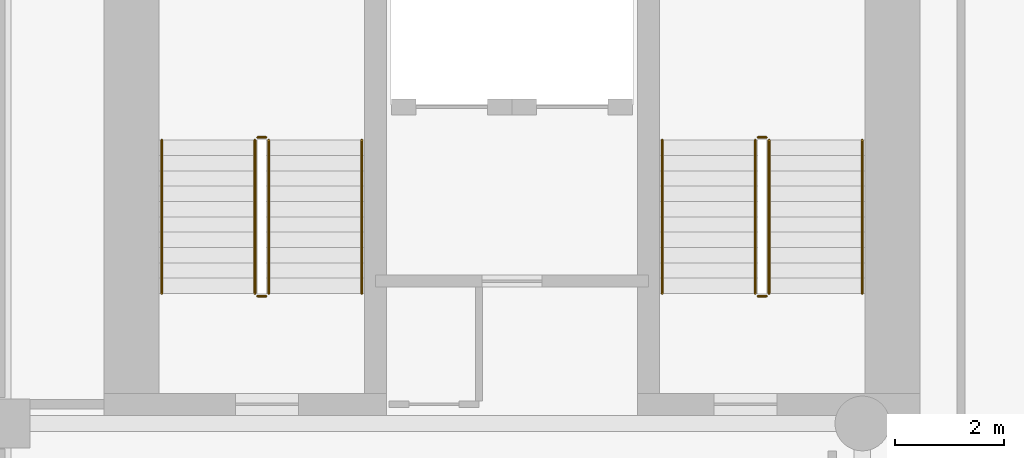
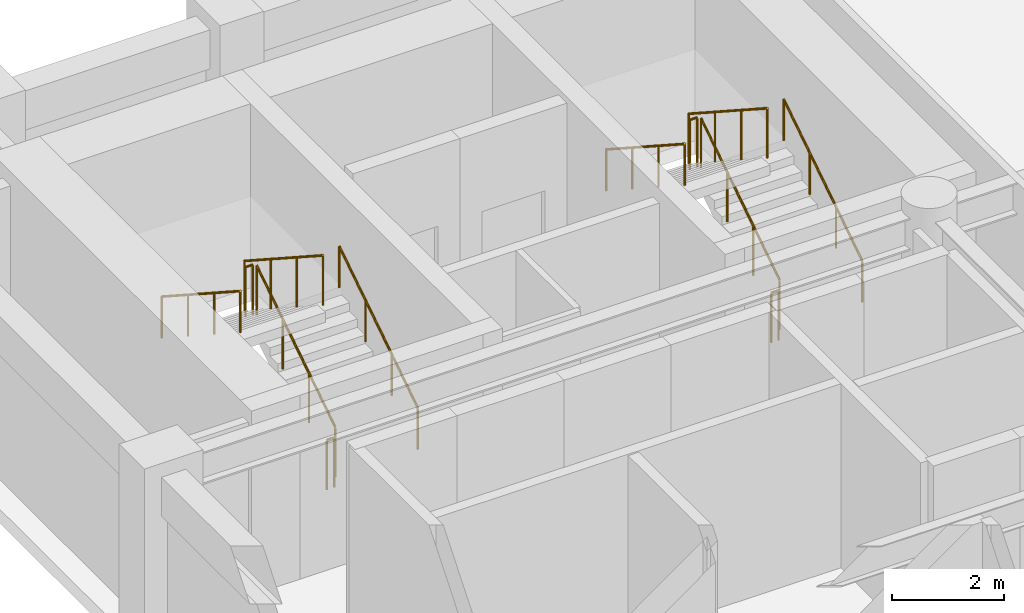
# One storey, part 9 of 10: 12 railings.
"""IFC4 building model written with IfcOpenShell, lengths in metres."""

from ifc_helpers import new_model, si_unit, direction, frame, origin, origin_2d, place, context, subcontext, project, spatial, circle, extrude, material, type_object, element, save


model = new_model("IFC4")

# Units and contexts
model_context = context("Model", 3, precision=1e-05, world=origin(), true_north=direction((0.0, 1.0)))
body_context = subcontext(model_context, "Body", "Model", "MODEL_VIEW")
ifc_project = project(units=[si_unit("LENGTHUNIT", "METRE"), si_unit("AREAUNIT", "SQUARE_METRE"), si_unit("VOLUMEUNIT", "CUBIC_METRE"), si_unit("PLANEANGLEUNIT", "RADIAN"), si_unit("MASSUNIT", "GRAM", prefix="KILO")], contexts=[model_context])

# Site, building, storey
site_placement = place(None, origin())
site = spatial("IfcSite", under=ifc_project, at=site_placement, CompositionType="ELEMENT")
building_placement = place(site_placement, origin())
building = spatial("IfcBuilding", under=site, at=building_placement, Name="Sulina Concourse Tower", CompositionType="ELEMENT")
storey_placement = place(building_placement, frame((0.0, 0.0, 50.60009765625)))
storey = spatial("IfcBuildingStorey", under=building, at=storey_placement, Name="L12", CompositionType="ELEMENT", Elevation=50.60009765625)

# Railings
ifc_material_1 = material(Name="Galvanised steel railing", Category="steel")
railing_type_1 = type_object("IfcRailingType", Name="Core Stair Steel Guardrail 1150mm", PredefinedType="GUARDRAIL", material=ifc_material_1)
railing_1_placement = place(storey_placement, frame((5.554931640625, 36.375, 0.181640625)))
element("IfcRailing", 1, at=railing_1_placement, inside=storey, type_object=railing_type_1, Name="L12 ST-1 stair guard 1", PredefinedType="GUARDRAIL", context=body_context, shape_type="SweptSolid", body=[
    extrude(circle(Radius=0.02392578125, at=origin_2d()), frame((0.0, 0.0, 1.076171875), z_axis=(0.0, 0.838672427954, 0.544636170843), x_axis=(-1.0, 0.0, 0.0)), (0.0, 0.0, 1.0), 3.338623046875),
    extrude(circle(Radius=0.02099609375, at=origin_2d()), origin(), (0.0, 0.0, 1.0), 1.052001953125),
    extrude(circle(Radius=0.02099609375, at=origin_2d()), frame((0.0, 0.933349609375, 0.606201171875)), (0.0, 0.0, 1.0), 1.052001953125),
    extrude(circle(Radius=0.02099609375, at=origin_2d()), frame((0.0, 1.86669921875, 1.212158203125)), (0.0, 0.0, 1.0), 1.052001953125),
    extrude(circle(Radius=0.02099609375, at=origin_2d()), frame((0.0, 2.800048828125, 1.818359375)), (0.0, 0.0, 1.0), 1.052001953125),
])
railing_2_placement = place(storey_placement, frame((5.5048828125, 39.22509765625, 2.0)))
element("IfcRailing", 2, at=railing_2_placement, inside=storey, type_object=railing_type_1, Name="L12 ST-1 stair guard 2", PredefinedType="GUARDRAIL", context=body_context, shape_type="SweptSolid", body=[
    extrude(circle(Radius=0.02392578125, at=origin_2d()), frame((0.0, 0.0, 1.076171875), z_axis=(-1.0, 0.0, 0.0), x_axis=(0.0, -1.0, 0.0)), (0.0, 0.0, 1.0), 0.14990234375),
    extrude(circle(Radius=0.02099609375, at=origin_2d()), origin(), (0.0, 0.0, 1.0), 1.052001953125),
    extrude(circle(Radius=0.02099609375, at=origin_2d()), frame((-0.14990234375, 0.0, 0.0)), (0.0, 0.0, 1.0), 1.052001953125),
])
railing_3_placement = place(storey_placement, frame((5.304931640625, 39.175048828125, 2.181640625)))
element("IfcRailing", 3, at=railing_3_placement, inside=storey, type_object=railing_type_1, Name="L12 ST-1 stair guard 3", PredefinedType="GUARDRAIL", context=body_context, shape_type="SweptSolid", body=[
    extrude(circle(Radius=0.02392578125, at=origin_2d()), frame((0.0, 0.0, 1.076171875), z_axis=(0.0, -0.838672427954, 0.544636170843), x_axis=(1.0, 0.0, 0.0)), (0.0, 0.0, 1.0), 3.338623046875),
    extrude(circle(Radius=0.02099609375, at=origin_2d()), origin(), (0.0, 0.0, 1.0), 1.052001953125),
    extrude(circle(Radius=0.02099609375, at=origin_2d()), frame((0.0, -0.933349609375, 0.606201171875)), (0.0, 0.0, 1.0), 1.052001953125),
    extrude(circle(Radius=0.02099609375, at=origin_2d()), frame((0.0, -1.86669921875, 1.212158203125)), (0.0, 0.0, 1.0), 1.052001953125),
    extrude(circle(Radius=0.02099609375, at=origin_2d()), frame((0.0, -2.800048828125, 1.818359375)), (0.0, 0.0, 1.0), 1.052001953125),
])
railing_4_placement = place(storey_placement, frame((5.5048828125, 36.324951171875, 0.0)))
element("IfcRailing", 4, at=railing_4_placement, inside=storey, type_object=railing_type_1, Name="L12 ST-1 stair guard 4", PredefinedType="GUARDRAIL", context=body_context, shape_type="SweptSolid", body=[
    extrude(circle(Radius=0.02392578125, at=origin_2d()), frame((0.0, 0.0, 1.076171875), z_axis=(-1.0, 0.0, 0.0), x_axis=(0.0, -1.0, 0.0)), (0.0, 0.0, 1.0), 0.14990234375),
    extrude(circle(Radius=0.02099609375, at=origin_2d()), origin(), (0.0, 0.0, 1.0), 1.052001953125),
    extrude(circle(Radius=0.02099609375, at=origin_2d()), frame((-0.14990234375, 0.0, 0.0)), (0.0, 0.0, 1.0), 1.052001953125),
])
railing_5_placement = place(storey_placement, frame((14.695068359375, 36.375, 0.181640625)))
element("IfcRailing", 5, at=railing_5_placement, inside=storey, type_object=railing_type_1, Name="L12 ST-2 stair guard 1", PredefinedType="GUARDRAIL", context=body_context, shape_type="SweptSolid", body=[
    extrude(circle(Radius=0.02392578125, at=origin_2d()), frame((0.0, 0.0, 1.076171875), z_axis=(0.0, 0.838672427954, 0.544636170843), x_axis=(-1.0, 0.0, 0.0)), (0.0, 0.0, 1.0), 3.338623046875),
    extrude(circle(Radius=0.02099609375, at=origin_2d()), origin(), (0.0, 0.0, 1.0), 1.052001953125),
    extrude(circle(Radius=0.02099609375, at=origin_2d()), frame((0.0, 0.933349609375, 0.606201171875)), (0.0, 0.0, 1.0), 1.052001953125),
    extrude(circle(Radius=0.02099609375, at=origin_2d()), frame((0.0, 1.86669921875, 1.212158203125)), (0.0, 0.0, 1.0), 1.052001953125),
    extrude(circle(Radius=0.02099609375, at=origin_2d()), frame((0.0, 2.800048828125, 1.818359375)), (0.0, 0.0, 1.0), 1.052001953125),
])
railing_6_placement = place(storey_placement, frame((14.64501953125, 39.22509765625, 2.0)))
element("IfcRailing", 6, at=railing_6_placement, inside=storey, type_object=railing_type_1, Name="L12 ST-2 stair guard 2", PredefinedType="GUARDRAIL", context=body_context, shape_type="SweptSolid", body=[
    extrude(circle(Radius=0.02392578125, at=origin_2d()), frame((0.0, 0.0, 1.076171875), z_axis=(-1.0, 0.0, 0.0), x_axis=(0.0, -1.0, 0.0)), (0.0, 0.0, 1.0), 0.14990234375),
    extrude(circle(Radius=0.02099609375, at=origin_2d()), origin(), (0.0, 0.0, 1.0), 1.052001953125),
    extrude(circle(Radius=0.02099609375, at=origin_2d()), frame((-0.14990234375, 0.0, 0.0)), (0.0, 0.0, 1.0), 1.052001953125),
])
railing_7_placement = place(storey_placement, frame((14.445068359375, 39.175048828125, 2.181640625)))
element("IfcRailing", 7, at=railing_7_placement, inside=storey, type_object=railing_type_1, Name="L12 ST-2 stair guard 3", PredefinedType="GUARDRAIL", context=body_context, shape_type="SweptSolid", body=[
    extrude(circle(Radius=0.02392578125, at=origin_2d()), frame((0.0, 0.0, 1.076171875), z_axis=(0.0, -0.838672427954, 0.544636170843), x_axis=(1.0, 0.0, 0.0)), (0.0, 0.0, 1.0), 3.338623046875),
    extrude(circle(Radius=0.02099609375, at=origin_2d()), origin(), (0.0, 0.0, 1.0), 1.052001953125),
    extrude(circle(Radius=0.02099609375, at=origin_2d()), frame((0.0, -0.933349609375, 0.606201171875)), (0.0, 0.0, 1.0), 1.052001953125),
    extrude(circle(Radius=0.02099609375, at=origin_2d()), frame((0.0, -1.86669921875, 1.212158203125)), (0.0, 0.0, 1.0), 1.052001953125),
    extrude(circle(Radius=0.02099609375, at=origin_2d()), frame((0.0, -2.800048828125, 1.818359375)), (0.0, 0.0, 1.0), 1.052001953125),
])
railing_8_placement = place(storey_placement, frame((14.64501953125, 36.324951171875, 0.0)))
element("IfcRailing", 8, at=railing_8_placement, inside=storey, type_object=railing_type_1, Name="L12 ST-2 stair guard 4", PredefinedType="GUARDRAIL", context=body_context, shape_type="SweptSolid", body=[
    extrude(circle(Radius=0.02392578125, at=origin_2d()), frame((0.0, 0.0, 1.076171875), z_axis=(-1.0, 0.0, 0.0), x_axis=(0.0, -1.0, 0.0)), (0.0, 0.0, 1.0), 0.14990234375),
    extrude(circle(Radius=0.02099609375, at=origin_2d()), origin(), (0.0, 0.0, 1.0), 1.052001953125),
    extrude(circle(Radius=0.02099609375, at=origin_2d()), frame((-0.14990234375, 0.0, 0.0)), (0.0, 0.0, 1.0), 1.052001953125),
])
ifc_material_2 = material(Name="Galvanised steel railing", Category="steel")
railing_type_2 = type_object("IfcRailingType", Name="Stair Wall Steel Handrail 920mm", PredefinedType="HANDRAIL", material=ifc_material_2)
railing_9_placement = place(storey_placement, frame((7.2548828125, 36.375, 0.181640625)))
element("IfcRailing", 9, at=railing_9_placement, inside=storey, type_object=railing_type_2, Name="L12 ST-1 stair handrail 1", PredefinedType="HANDRAIL", context=body_context, shape_type="SweptSolid", body=[
    extrude(circle(Radius=0.02392578125, at=origin_2d()), frame((0.0, 0.0, 0.89599609375), z_axis=(0.0, 0.838672427954, 0.544636170843), x_axis=(-1.0, 0.0, 0.0)), (0.0, 0.0, 1.0), 3.338623046875),
    extrude(circle(Radius=0.02099609375, at=origin_2d()), origin(), (0.0, 0.0, 1.0), 0.871826171875),
    extrude(circle(Radius=0.02099609375, at=origin_2d()), frame((0.0, 0.933349609375, 0.606201171875)), (0.0, 0.0, 1.0), 0.871826171875),
    extrude(circle(Radius=0.02099609375, at=origin_2d()), frame((0.0, 1.86669921875, 1.212158203125)), (0.0, 0.0, 1.0), 0.871826171875),
    extrude(circle(Radius=0.02099609375, at=origin_2d()), frame((0.0, 2.800048828125, 1.818359375)), (0.0, 0.0, 1.0), 0.871826171875),
])
railing_10_placement = place(storey_placement, frame((3.60498046875, 39.175048828125, 2.181640625)))
element("IfcRailing", 10, at=railing_10_placement, inside=storey, type_object=railing_type_2, Name="L12 ST-1 stair handrail 2", PredefinedType="HANDRAIL", context=body_context, shape_type="SweptSolid", body=[
    extrude(circle(Radius=0.02392578125, at=origin_2d()), frame((0.0, 0.0, 0.89599609375), z_axis=(0.0, -0.838672427954, 0.544636170843), x_axis=(1.0, 0.0, 0.0)), (0.0, 0.0, 1.0), 3.338623046875),
    extrude(circle(Radius=0.02099609375, at=origin_2d()), origin(), (0.0, 0.0, 1.0), 0.871826171875),
    extrude(circle(Radius=0.02099609375, at=origin_2d()), frame((0.0, -0.933349609375, 0.606201171875)), (0.0, 0.0, 1.0), 0.871826171875),
    extrude(circle(Radius=0.02099609375, at=origin_2d()), frame((0.0, -1.86669921875, 1.212158203125)), (0.0, 0.0, 1.0), 0.871826171875),
    extrude(circle(Radius=0.02099609375, at=origin_2d()), frame((0.0, -2.800048828125, 1.818359375)), (0.0, 0.0, 1.0), 0.871826171875),
])
railing_11_placement = place(storey_placement, frame((16.39501953125, 36.375, 0.181640625)))
element("IfcRailing", 11, at=railing_11_placement, inside=storey, type_object=railing_type_2, Name="L12 ST-2 stair handrail 1", PredefinedType="HANDRAIL", context=body_context, shape_type="SweptSolid", body=[
    extrude(circle(Radius=0.02392578125, at=origin_2d()), frame((0.0, 0.0, 0.89599609375), z_axis=(0.0, 0.838672427954, 0.544636170843), x_axis=(-1.0, 0.0, 0.0)), (0.0, 0.0, 1.0), 3.338623046875),
    extrude(circle(Radius=0.02099609375, at=origin_2d()), origin(), (0.0, 0.0, 1.0), 0.871826171875),
    extrude(circle(Radius=0.02099609375, at=origin_2d()), frame((0.0, 0.933349609375, 0.606201171875)), (0.0, 0.0, 1.0), 0.871826171875),
    extrude(circle(Radius=0.02099609375, at=origin_2d()), frame((0.0, 1.86669921875, 1.212158203125)), (0.0, 0.0, 1.0), 0.871826171875),
    extrude(circle(Radius=0.02099609375, at=origin_2d()), frame((0.0, 2.800048828125, 1.818359375)), (0.0, 0.0, 1.0), 0.871826171875),
])
railing_12_placement = place(storey_placement, frame((12.7451171875, 39.175048828125, 2.181640625)))
element("IfcRailing", 12, at=railing_12_placement, inside=storey, type_object=railing_type_2, Name="L12 ST-2 stair handrail 2", PredefinedType="HANDRAIL", context=body_context, shape_type="SweptSolid", body=[
    extrude(circle(Radius=0.02392578125, at=origin_2d()), frame((0.0, 0.0, 0.89599609375), z_axis=(0.0, -0.838672427954, 0.544636170843), x_axis=(1.0, 0.0, 0.0)), (0.0, 0.0, 1.0), 3.338623046875),
    extrude(circle(Radius=0.02099609375, at=origin_2d()), origin(), (0.0, 0.0, 1.0), 0.871826171875),
    extrude(circle(Radius=0.02099609375, at=origin_2d()), frame((0.0, -0.933349609375, 0.606201171875)), (0.0, 0.0, 1.0), 0.871826171875),
    extrude(circle(Radius=0.02099609375, at=origin_2d()), frame((0.0, -1.86669921875, 1.212158203125)), (0.0, 0.0, 1.0), 0.871826171875),
    extrude(circle(Radius=0.02099609375, at=origin_2d()), frame((0.0, -2.800048828125, 1.818359375)), (0.0, 0.0, 1.0), 0.871826171875),
])

save(model, "model.ifc")
